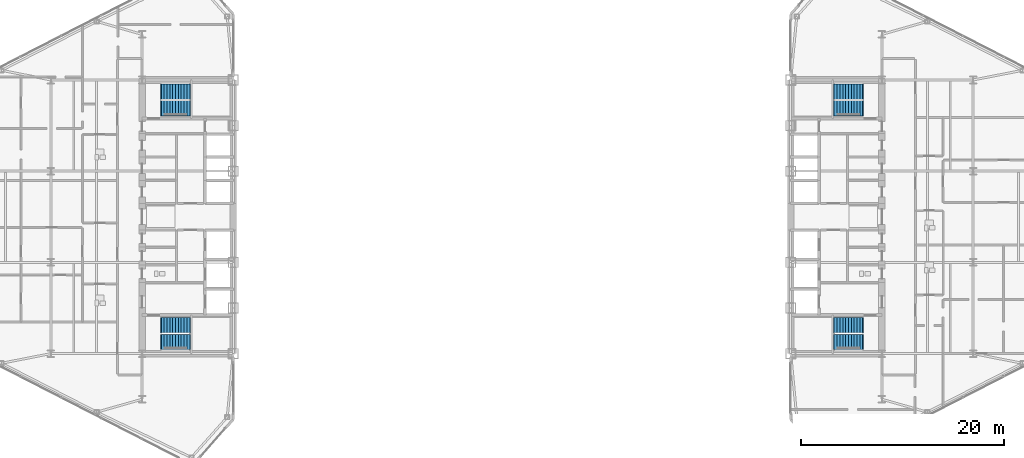
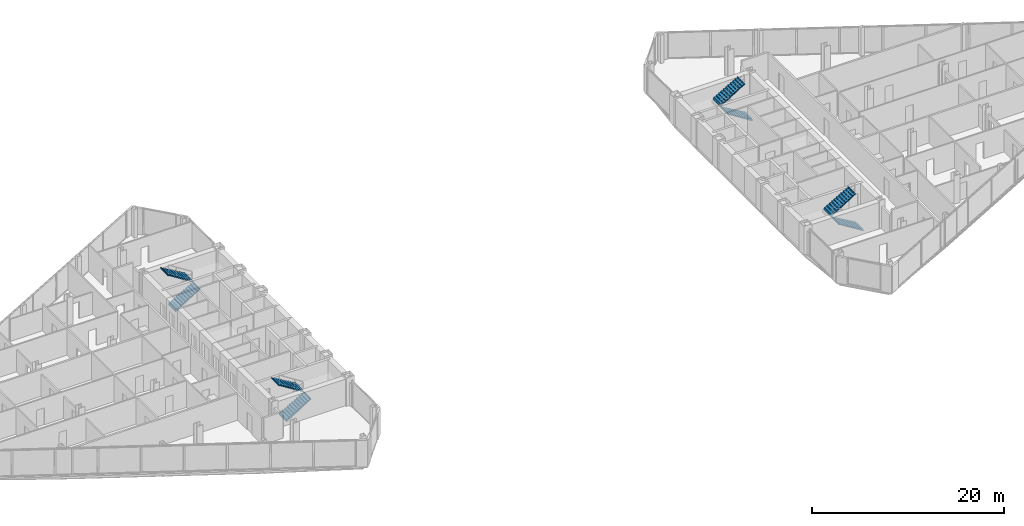
# One storey, part 22 of 24: 8 stair flights, 4 elements without a shape of their own.
"""IFC4 building model written with IfcOpenShell, lengths in metres."""

import ifcopenshell
import ifcopenshell.guid

model = None  # the IFC model being written
_history = None  # IfcOwnerHistory: only IFC2X3 demands one
_inside = {}  # id of a spatial element -> (the spatial element, [elements in it])
_under = {}  # id of a project, library or spatial element -> (it, [spatial elements below it])
_declared = {}  # id of a project -> (the project, [libraries it declares])
_typed = {}  # id of a type object -> (the type object, [elements of that type])
_made_of = {}  # id of a material, layer set ... -> (it, [elements and type objects made of it])


def new_model(schema):
    """Start an empty IFC model of exactly this schema.

    Asked for "IFC4X3", IfcOpenShell would pick the latest addendum, in which some entities
    have other attributes; the version numbers below select the first issue.
    IFC2X3 requires an IfcOwnerHistory on every rooted entity: one is made here for all.
    """
    global model, _history
    if schema == "IFC4X3":
        model = ifcopenshell.file(schema_version=(4, 3, 0, 0))
    else:
        model = ifcopenshell.file(schema=schema)
    _inside.clear()
    _under.clear()
    _declared.clear()
    _typed.clear()
    _made_of.clear()
    _history = None
    if model.schema == "IFC2X3":
        org = make("IfcOrganization", Name="unknown")
        user = make(
            "IfcPersonAndOrganization",
            ThePerson=make("IfcPerson", FamilyName="unknown"),
            TheOrganization=org,
        )
        app = make(
            "IfcApplication",
            ApplicationDeveloper=org,
            Version="unknown",
            ApplicationFullName="unknown",
            ApplicationIdentifier="unknown",
        )
        _history = make(
            "IfcOwnerHistory",
            OwningUser=user,
            OwningApplication=app,
            ChangeAction="ADDED",
            CreationDate=0,
        )
    return model


def make(cls, **values):
    """One entity of the class cls with the attributes given. An attribute that is None is left unset."""
    return model.create_entity(
        cls, **{name: value for name, value in values.items() if value is not None}
    )


def rooted(cls, **values):
    """An entity with a GlobalId (a new one), such as an element, a storey or a relation."""
    return make(cls, GlobalId=ifcopenshell.guid.new(), OwnerHistory=_history, **values)


def si_unit(unit_type, name, prefix=None):
    """IfcSIUnit, for example si_unit("LENGTHUNIT", "METRE", prefix="MILLI")."""
    return make("IfcSIUnit", UnitType=unit_type, Prefix=prefix, Name=name)


def assignment(units):
    """IfcUnitAssignment: the units of a project."""
    return None if units is None else make("IfcUnitAssignment", Units=units)


def point(xyz):
    """IfcCartesianPoint."""
    return None if xyz is None else make("IfcCartesianPoint", Coordinates=xyz)


def direction(xyz):
    """IfcDirection."""
    return None if xyz is None else make("IfcDirection", DirectionRatios=xyz)


def frame(location, z_axis=None, x_axis=None):
    """IfcAxis2Placement3D, a coordinate frame: its origin and axes. An axis left out is left unset."""
    return make(
        "IfcAxis2Placement3D",
        Location=point(location),
        Axis=direction(z_axis),
        RefDirection=direction(x_axis),
    )


def origin():
    """The frame at (0, 0, 0) with its axes left unset."""
    return frame((0.0, 0.0, 0.0))


def place(relative_to, where):
    """IfcLocalPlacement: puts the frame where relative to a parent placement (None: the world)."""
    return make(
        "IfcLocalPlacement", PlacementRelTo=relative_to, RelativePlacement=where
    )


def context(
    kind, dimensions, precision=None, world=None, true_north=None, identifier=None
):
    """IfcGeometricRepresentationContext, for example the 3D "Model" context."""
    return make(
        "IfcGeometricRepresentationContext",
        ContextIdentifier=identifier,
        ContextType=kind,
        CoordinateSpaceDimension=dimensions,
        Precision=precision,
        WorldCoordinateSystem=world,
        TrueNorth=true_north,
    )


def subcontext(parent, identifier, kind, view, scale=None):
    """IfcGeometricRepresentationSubContext, for example "Body" below "Model"."""
    return make(
        "IfcGeometricRepresentationSubContext",
        ContextIdentifier=identifier,
        ContextType=kind,
        ParentContext=parent,
        TargetScale=scale,
        TargetView=view,
    )


def project(units=None, contexts=None):
    """IfcProject with its units and contexts."""
    return rooted(
        "IfcProject",
        Name="project",
        RepresentationContexts=contexts,
        UnitsInContext=assignment(units),
    )


def spatial(cls, under=None, at=None, **own):
    """A site, building, storey or space (cls), placed at a placement, below another one or the project."""
    s = rooted(cls, ObjectPlacement=at, **own)
    if under is not None:
        _under.setdefault(under.id(), (under, []))[1].append(s)
    return s


def polyline(points):
    """IfcPolyline through the points."""
    return make("IfcPolyline", Points=[point(p) for p in points])


def outline(outer, holes=None, kind="AREA"):
    """IfcArbitraryClosedProfileDef: a profile drawn as a closed curve; with holes, ...WithVoids."""
    if holes is None:
        return make("IfcArbitraryClosedProfileDef", ProfileType=kind, OuterCurve=outer)
    return make(
        "IfcArbitraryProfileDefWithVoids",
        ProfileType=kind,
        OuterCurve=outer,
        InnerCurves=holes,
    )


def extrude(swept, where, along, depth):
    """IfcExtrudedAreaSolid: the profile swept, set in the frame where, extruded along a direction by depth."""
    return make(
        "IfcExtrudedAreaSolid",
        SweptArea=swept,
        Position=where,
        ExtrudedDirection=direction(along),
        Depth=depth,
    )


def shape(context_of_items, identifier, shape_type, items):
    """IfcShapeRepresentation: the items that make up one representation, for example the "Body"."""
    return make(
        "IfcShapeRepresentation",
        ContextOfItems=context_of_items,
        RepresentationIdentifier=identifier,
        RepresentationType=shape_type,
        Items=items,
    )


def material(Name=None, Category=None):
    """IfcMaterial."""
    return make("IfcMaterial", Name=Name, Category=Category)


def made_of(thing, what):
    """Note that an element or type object is made of a material, layer set ...; save() writes the relation."""
    if what is not None:
        _made_of.setdefault(what.id(), (what, []))[1].append(thing)
    return thing


def type_object(cls, material=None, **own):
    """A type object (cls), such as IfcWallType, which elements share."""
    return made_of(rooted(cls, **own), material)


def element(
    cls,
    number,
    at=None,
    inside=None,
    cuts=None,
    type_object=None,
    material=None,
    context=None,
    identifier="Body",
    shape_type=None,
    held_by="IfcProductDefinitionShape",
    body=None,
    shapes=None,
    **own,
):
    """One element of the class cls, such as IfcWall. Its Tag is "e" and its number.

    at: its placement. inside: the storey or other place that contains it. cuts: it is an
    opening in that element (IfcRelVoidsElement). A single representation is given by context,
    identifier, shape_type and body (its items); several are given by shapes. held_by: the class
    of the entity that holds the representations. save() writes the other relations.
    """
    e = rooted(cls, Tag="e%d" % number, ObjectPlacement=at, **own)
    if body is not None:
        shapes = [shape(context, identifier, shape_type, body)]
    if shapes is not None:
        e.Representation = make(held_by, Representations=shapes)
    if inside is not None:
        _inside.setdefault(inside.id(), (inside, []))[1].append(e)
    if cuts is not None:
        rooted(
            "IfcRelVoidsElement", RelatingBuildingElement=cuts, RelatedOpeningElement=e
        )
    if type_object is not None:
        _typed.setdefault(type_object.id(), (type_object, []))[1].append(e)
    return made_of(e, material)


def aggregate(whole, parts):
    """IfcRelAggregates: a whole, such as a stair, and the parts it consists of."""
    return rooted("IfcRelAggregates", RelatingObject=whole, RelatedObjects=parts)


def save(model, path):
    """Write the relations noted so far, then the file.

    IfcRelAggregates (storeys below a building ...), IfcRelContainedInSpatialStructure (elements
    in a storey), IfcRelDefinesByType, IfcRelAssociatesMaterial and IfcRelDeclares: one each for
    every whole, place, type object, material and project.
    """
    for whole, parts in _under.values():
        aggregate(whole, parts)
    for where, things in _inside.values():
        rooted(
            "IfcRelContainedInSpatialStructure",
            RelatedElements=things,
            RelatingStructure=where,
        )
    for kind, things in _typed.values():
        rooted("IfcRelDefinesByType", RelatedObjects=things, RelatingType=kind)
    for what, things in _made_of.values():
        rooted("IfcRelAssociatesMaterial", RelatedObjects=things, RelatingMaterial=what)
    for by, libraries in _declared.values():
        rooted("IfcRelDeclares", RelatingContext=by, RelatedDefinitions=libraries)
    model.write(path)


model = new_model("IFC4")

# Units and contexts
model_context = context("Model", 3, precision=1e-05, world=origin(), true_north=direction((0.0, 1.0)))
body_context = subcontext(model_context, "Body", "Model", "MODEL_VIEW")
ifc_project = project(units=[si_unit("LENGTHUNIT", "METRE"), si_unit("AREAUNIT", "SQUARE_METRE"), si_unit("VOLUMEUNIT", "CUBIC_METRE"), si_unit("PLANEANGLEUNIT", "RADIAN"), si_unit("MASSUNIT", "GRAM", prefix="KILO")], contexts=[model_context])

# Site, building, storey
site_placement = place(None, origin())
site = spatial("IfcSite", under=ifc_project, at=site_placement, CompositionType="ELEMENT")
building_placement = place(site_placement, origin())
building = spatial("IfcBuilding", under=site, at=building_placement, Name="Seokmaru Belvedere", CompositionType="ELEMENT")
storey_placement = place(building_placement, frame((0.0, 0.0, 121.199951171875)))
storey = spatial("IfcBuildingStorey", under=building, at=storey_placement, Name="L32", CompositionType="ELEMENT", Elevation=121.199951171875)

# Stair, stair flights
ifc_material = material(Name="Concrete C40 (40 MPa)", Category="concrete")
stair_type = type_object("IfcStairType", Name="Typical Tower Core Dog-Leg Stair 3600", PredefinedType="TWO_STRAIGHT_RUN_STAIR", material=ifc_material)
stair_1_placement = place(storey_placement, origin())
stair_1 = element("IfcStair", 1, at=stair_1_placement, inside=storey, type_object=stair_type, Name="L32 Special Escape Stair ST-W1", PredefinedType="TWO_STRAIGHT_RUN_STAIR")
stair_flight_type = type_object("IfcStairFlightType", Name="Reinforced Concrete Stair Flight 1500", PredefinedType="STRAIGHT", material=ifc_material)
stair_flight_1_placement = place(storey_placement, frame((-34.60009765625, -12.35009765625, 0.0), z_axis=(0.0, 0.0, 1.0), x_axis=(1.0, 0.0, 0.0)))
stair_flight_1 = element("IfcStairFlight", 2, at=stair_flight_1_placement, type_object=stair_flight_type, Name="ST-W1 flight 1", NumberOfRisers=11, NumberOfTreads=10, PredefinedType="STRAIGHT", RiserHeight=0.163636364, TreadLength=0.28, context=body_context, shape_type="SweptSolid", body=[
    extrude(outline(polyline([(-0.080078125, 0.0), (0.0, 0.16357421875), (0.280029296875, 0.16357421875), (0.280029296875, 0.327392578125), (0.56005859375, 0.327392578125), (0.56005859375, 0.490966796875), (0.840087890625, 0.490966796875), (0.840087890625, 0.654541015625), (1.1201171875, 0.654541015625), (1.1201171875, 0.818115234375), (1.39990234375, 0.818115234375), (1.39990234375, 0.98193359375), (1.679931640625, 0.98193359375), (1.679931640625, 1.1455078125), (1.9599609375, 1.1455078125), (1.9599609375, 1.30908203125), (2.239990234375, 1.30908203125), (2.239990234375, 1.47265625), (2.52001953125, 1.47265625), (2.52001953125, 1.636474609375), (2.800048828125, 1.636474609375), (2.800048828125, 1.800048828125), (2.8798828125, 1.800048828125), (2.8798828125, 1.610107421875), (2.800048828125, 1.610107421875), (0.0, -0.159912109375), (-0.080078125, -0.159912109375), (-0.080078125, 0.0)])), frame((0.0, 0.75, 0.0), z_axis=(0.0, -1.0, 0.0), x_axis=(1.0, 0.0, 0.0)), (0.0, 0.0, 1.0), 1.5),
])
stair_flight_2_placement = place(storey_placement, frame((-31.800048828125, -10.7099609375, 1.800048828125), z_axis=(0.0, 0.0, 1.0), x_axis=(-1.0, 0.0, 0.0)))
stair_flight_2 = element("IfcStairFlight", 3, at=stair_flight_2_placement, type_object=stair_flight_type, Name="ST-W1 flight 2", NumberOfRisers=11, NumberOfTreads=10, PredefinedType="STRAIGHT", RiserHeight=0.163636364, TreadLength=0.28, context=body_context, shape_type="SweptSolid", body=[
    extrude(outline(polyline([(-0.080078125, 0.0), (0.0, 0.16357421875), (0.280029296875, 0.16357421875), (0.280029296875, 0.327392578125), (0.56005859375, 0.327392578125), (0.56005859375, 0.490966796875), (0.840087890625, 0.490966796875), (0.840087890625, 0.654541015625), (1.1201171875, 0.654541015625), (1.1201171875, 0.818115234375), (1.39990234375, 0.818115234375), (1.39990234375, 0.98193359375), (1.679931640625, 0.98193359375), (1.679931640625, 1.1455078125), (1.9599609375, 1.1455078125), (1.9599609375, 1.30908203125), (2.239990234375, 1.30908203125), (2.239990234375, 1.47265625), (2.52001953125, 1.47265625), (2.52001953125, 1.636474609375), (2.800048828125, 1.636474609375), (2.800048828125, 1.800048828125), (2.8798828125, 1.800048828125), (2.8798828125, 1.610107421875), (2.800048828125, 1.610107421875), (0.0, -0.159912109375), (-0.080078125, -0.159912109375), (-0.080078125, 0.0)])), frame((0.0, 0.75, 0.0), z_axis=(0.0, -1.0, 0.0), x_axis=(1.0, 0.0, 0.0)), (0.0, 0.0, 1.0), 1.5),
])
aggregate(stair_1, [stair_flight_1, stair_flight_2])

stair_2_placement = place(storey_placement, origin())
stair_2 = element("IfcStair", 4, at=stair_2_placement, inside=storey, type_object=stair_type, Name="L32 Special Escape Stair ST-W2", PredefinedType="TWO_STRAIGHT_RUN_STAIR")
stair_flight_3_placement = place(storey_placement, frame((-34.60009765625, 10.7099609375, 0.0), z_axis=(0.0, 0.0, 1.0), x_axis=(1.0, 0.0, 0.0)))
stair_flight_3 = element("IfcStairFlight", 5, at=stair_flight_3_placement, type_object=stair_flight_type, Name="ST-W2 flight 1", NumberOfRisers=11, NumberOfTreads=10, PredefinedType="STRAIGHT", RiserHeight=0.163636364, TreadLength=0.28, context=body_context, shape_type="SweptSolid", body=[
    extrude(outline(polyline([(-0.080078125, 0.0), (0.0, 0.16357421875), (0.280029296875, 0.16357421875), (0.280029296875, 0.327392578125), (0.56005859375, 0.327392578125), (0.56005859375, 0.490966796875), (0.840087890625, 0.490966796875), (0.840087890625, 0.654541015625), (1.1201171875, 0.654541015625), (1.1201171875, 0.818115234375), (1.39990234375, 0.818115234375), (1.39990234375, 0.98193359375), (1.679931640625, 0.98193359375), (1.679931640625, 1.1455078125), (1.9599609375, 1.1455078125), (1.9599609375, 1.30908203125), (2.239990234375, 1.30908203125), (2.239990234375, 1.47265625), (2.52001953125, 1.47265625), (2.52001953125, 1.636474609375), (2.800048828125, 1.636474609375), (2.800048828125, 1.800048828125), (2.8798828125, 1.800048828125), (2.8798828125, 1.610107421875), (2.800048828125, 1.610107421875), (0.0, -0.159912109375), (-0.080078125, -0.159912109375), (-0.080078125, 0.0)])), frame((0.0, 0.75, 0.0), z_axis=(0.0, -1.0, 0.0), x_axis=(1.0, 0.0, 0.0)), (0.0, 0.0, 1.0), 1.5),
])
stair_flight_4_placement = place(storey_placement, frame((-31.800048828125, 12.35009765625, 1.800048828125), z_axis=(0.0, 0.0, 1.0), x_axis=(-1.0, 0.0, 0.0)))
stair_flight_4 = element("IfcStairFlight", 6, at=stair_flight_4_placement, type_object=stair_flight_type, Name="ST-W2 flight 2", NumberOfRisers=11, NumberOfTreads=10, PredefinedType="STRAIGHT", RiserHeight=0.163636364, TreadLength=0.28, context=body_context, shape_type="SweptSolid", body=[
    extrude(outline(polyline([(-0.080078125, 0.0), (0.0, 0.16357421875), (0.280029296875, 0.16357421875), (0.280029296875, 0.327392578125), (0.56005859375, 0.327392578125), (0.56005859375, 0.490966796875), (0.840087890625, 0.490966796875), (0.840087890625, 0.654541015625), (1.1201171875, 0.654541015625), (1.1201171875, 0.818115234375), (1.39990234375, 0.818115234375), (1.39990234375, 0.98193359375), (1.679931640625, 0.98193359375), (1.679931640625, 1.1455078125), (1.9599609375, 1.1455078125), (1.9599609375, 1.30908203125), (2.239990234375, 1.30908203125), (2.239990234375, 1.47265625), (2.52001953125, 1.47265625), (2.52001953125, 1.636474609375), (2.800048828125, 1.636474609375), (2.800048828125, 1.800048828125), (2.8798828125, 1.800048828125), (2.8798828125, 1.610107421875), (2.800048828125, 1.610107421875), (0.0, -0.159912109375), (-0.080078125, -0.159912109375), (-0.080078125, 0.0)])), frame((0.0, 0.75, 0.0), z_axis=(0.0, -1.0, 0.0), x_axis=(1.0, 0.0, 0.0)), (0.0, 0.0, 1.0), 1.5),
])
aggregate(stair_2, [stair_flight_3, stair_flight_4])

stair_3_placement = place(storey_placement, origin())
stair_3 = element("IfcStair", 7, at=stair_3_placement, inside=storey, type_object=stair_type, Name="L32 Special Escape Stair ST-E1", PredefinedType="TWO_STRAIGHT_RUN_STAIR")
stair_flight_5_placement = place(storey_placement, frame((34.60009765625, -12.35009765625, 0.0), z_axis=(0.0, 0.0, 1.0), x_axis=(-1.0, 0.0, 0.0)))
stair_flight_5 = element("IfcStairFlight", 8, at=stair_flight_5_placement, type_object=stair_flight_type, Name="ST-E1 flight 1", NumberOfRisers=11, NumberOfTreads=10, PredefinedType="STRAIGHT", RiserHeight=0.163636364, TreadLength=0.28, context=body_context, shape_type="SweptSolid", body=[
    extrude(outline(polyline([(-0.080078125, 0.0), (0.0, 0.16357421875), (0.280029296875, 0.16357421875), (0.280029296875, 0.327392578125), (0.56005859375, 0.327392578125), (0.56005859375, 0.490966796875), (0.840087890625, 0.490966796875), (0.840087890625, 0.654541015625), (1.1201171875, 0.654541015625), (1.1201171875, 0.818115234375), (1.39990234375, 0.818115234375), (1.39990234375, 0.98193359375), (1.679931640625, 0.98193359375), (1.679931640625, 1.1455078125), (1.9599609375, 1.1455078125), (1.9599609375, 1.30908203125), (2.239990234375, 1.30908203125), (2.239990234375, 1.47265625), (2.52001953125, 1.47265625), (2.52001953125, 1.636474609375), (2.800048828125, 1.636474609375), (2.800048828125, 1.800048828125), (2.8798828125, 1.800048828125), (2.8798828125, 1.610107421875), (2.800048828125, 1.610107421875), (0.0, -0.159912109375), (-0.080078125, -0.159912109375), (-0.080078125, 0.0)])), frame((0.0, 0.75, 0.0), z_axis=(0.0, -1.0, 0.0), x_axis=(1.0, 0.0, 0.0)), (0.0, 0.0, 1.0), 1.5),
])
stair_flight_6_placement = place(storey_placement, frame((31.800048828125, -10.7099609375, 1.800048828125), z_axis=(0.0, 0.0, 1.0), x_axis=(1.0, 0.0, 0.0)))
stair_flight_6 = element("IfcStairFlight", 9, at=stair_flight_6_placement, type_object=stair_flight_type, Name="ST-E1 flight 2", NumberOfRisers=11, NumberOfTreads=10, PredefinedType="STRAIGHT", RiserHeight=0.163636364, TreadLength=0.28, context=body_context, shape_type="SweptSolid", body=[
    extrude(outline(polyline([(-0.080078125, 0.0), (0.0, 0.16357421875), (0.280029296875, 0.16357421875), (0.280029296875, 0.327392578125), (0.56005859375, 0.327392578125), (0.56005859375, 0.490966796875), (0.840087890625, 0.490966796875), (0.840087890625, 0.654541015625), (1.1201171875, 0.654541015625), (1.1201171875, 0.818115234375), (1.39990234375, 0.818115234375), (1.39990234375, 0.98193359375), (1.679931640625, 0.98193359375), (1.679931640625, 1.1455078125), (1.9599609375, 1.1455078125), (1.9599609375, 1.30908203125), (2.239990234375, 1.30908203125), (2.239990234375, 1.47265625), (2.52001953125, 1.47265625), (2.52001953125, 1.636474609375), (2.800048828125, 1.636474609375), (2.800048828125, 1.800048828125), (2.8798828125, 1.800048828125), (2.8798828125, 1.610107421875), (2.800048828125, 1.610107421875), (0.0, -0.159912109375), (-0.080078125, -0.159912109375), (-0.080078125, 0.0)])), frame((0.0, 0.75, 0.0), z_axis=(0.0, -1.0, 0.0), x_axis=(1.0, 0.0, 0.0)), (0.0, 0.0, 1.0), 1.5),
])
aggregate(stair_3, [stair_flight_5, stair_flight_6])

stair_4_placement = place(storey_placement, origin())
stair_4 = element("IfcStair", 10, at=stair_4_placement, inside=storey, type_object=stair_type, Name="L32 Special Escape Stair ST-E2", PredefinedType="TWO_STRAIGHT_RUN_STAIR")
stair_flight_7_placement = place(storey_placement, frame((34.60009765625, 10.7099609375, 0.0), z_axis=(0.0, 0.0, 1.0), x_axis=(-1.0, 0.0, 0.0)))
stair_flight_7 = element("IfcStairFlight", 11, at=stair_flight_7_placement, type_object=stair_flight_type, Name="ST-E2 flight 1", NumberOfRisers=11, NumberOfTreads=10, PredefinedType="STRAIGHT", RiserHeight=0.163636364, TreadLength=0.28, context=body_context, shape_type="SweptSolid", body=[
    extrude(outline(polyline([(-0.080078125, 0.0), (0.0, 0.16357421875), (0.280029296875, 0.16357421875), (0.280029296875, 0.327392578125), (0.56005859375, 0.327392578125), (0.56005859375, 0.490966796875), (0.840087890625, 0.490966796875), (0.840087890625, 0.654541015625), (1.1201171875, 0.654541015625), (1.1201171875, 0.818115234375), (1.39990234375, 0.818115234375), (1.39990234375, 0.98193359375), (1.679931640625, 0.98193359375), (1.679931640625, 1.1455078125), (1.9599609375, 1.1455078125), (1.9599609375, 1.30908203125), (2.239990234375, 1.30908203125), (2.239990234375, 1.47265625), (2.52001953125, 1.47265625), (2.52001953125, 1.636474609375), (2.800048828125, 1.636474609375), (2.800048828125, 1.800048828125), (2.8798828125, 1.800048828125), (2.8798828125, 1.610107421875), (2.800048828125, 1.610107421875), (0.0, -0.159912109375), (-0.080078125, -0.159912109375), (-0.080078125, 0.0)])), frame((0.0, 0.75, 0.0), z_axis=(0.0, -1.0, 0.0), x_axis=(1.0, 0.0, 0.0)), (0.0, 0.0, 1.0), 1.5),
])
stair_flight_8_placement = place(storey_placement, frame((31.800048828125, 12.35009765625, 1.800048828125), z_axis=(0.0, 0.0, 1.0), x_axis=(1.0, 0.0, 0.0)))
stair_flight_8 = element("IfcStairFlight", 12, at=stair_flight_8_placement, type_object=stair_flight_type, Name="ST-E2 flight 2", NumberOfRisers=11, NumberOfTreads=10, PredefinedType="STRAIGHT", RiserHeight=0.163636364, TreadLength=0.28, context=body_context, shape_type="SweptSolid", body=[
    extrude(outline(polyline([(-0.080078125, 0.0), (0.0, 0.16357421875), (0.280029296875, 0.16357421875), (0.280029296875, 0.327392578125), (0.56005859375, 0.327392578125), (0.56005859375, 0.490966796875), (0.840087890625, 0.490966796875), (0.840087890625, 0.654541015625), (1.1201171875, 0.654541015625), (1.1201171875, 0.818115234375), (1.39990234375, 0.818115234375), (1.39990234375, 0.98193359375), (1.679931640625, 0.98193359375), (1.679931640625, 1.1455078125), (1.9599609375, 1.1455078125), (1.9599609375, 1.30908203125), (2.239990234375, 1.30908203125), (2.239990234375, 1.47265625), (2.52001953125, 1.47265625), (2.52001953125, 1.636474609375), (2.800048828125, 1.636474609375), (2.800048828125, 1.800048828125), (2.8798828125, 1.800048828125), (2.8798828125, 1.610107421875), (2.800048828125, 1.610107421875), (0.0, -0.159912109375), (-0.080078125, -0.159912109375), (-0.080078125, 0.0)])), frame((0.0, 0.75, 0.0), z_axis=(0.0, -1.0, 0.0), x_axis=(1.0, 0.0, 0.0)), (0.0, 0.0, 1.0), 1.5),
])
aggregate(stair_4, [stair_flight_7, stair_flight_8])

save(model, "model.ifc")
